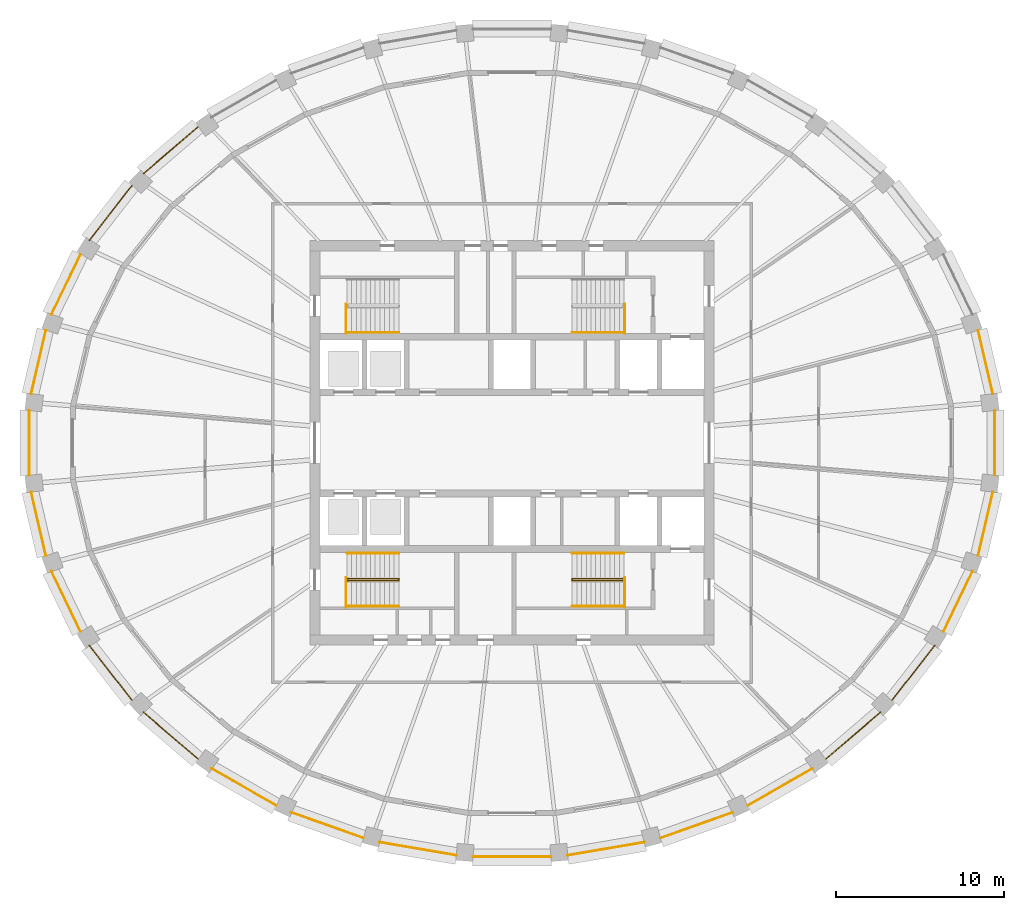
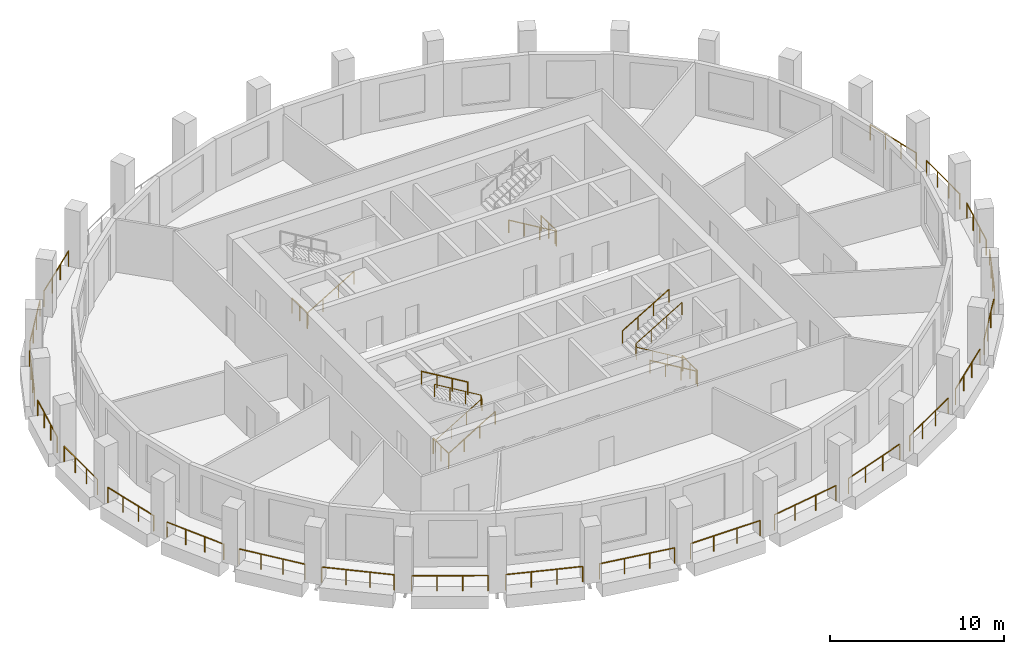
# One storey, part 8 of 10: 34 railings.
"""IFC4 building model written with IfcOpenShell, lengths in metres."""

from ifc_helpers import new_model, si_unit, direction, frame, origin, origin_2d, place, context, subcontext, project, spatial, circle, extrude, material, type_object, element, save


model = new_model("IFC4")

# Units and contexts
model_context = context("Model", 3, precision=1e-05, world=origin(), true_north=direction((0.0, 1.0)))
body_context = subcontext(model_context, "Body", "Model", "MODEL_VIEW")
ifc_project = project(units=[si_unit("LENGTHUNIT", "METRE"), si_unit("AREAUNIT", "SQUARE_METRE"), si_unit("VOLUMEUNIT", "CUBIC_METRE"), si_unit("PLANEANGLEUNIT", "RADIAN"), si_unit("MASSUNIT", "GRAM", prefix="KILO")], contexts=[model_context])

# Site, building, storey
site_placement = place(None, origin())
site = spatial("IfcSite", under=ifc_project, at=site_placement, CompositionType="ELEMENT")
building_placement = place(site_placement, origin())
building = spatial("IfcBuilding", under=site, at=building_placement, Name="Halqa Exchange Tower", CompositionType="ELEMENT")
storey_placement = place(building_placement, frame((0.0, 0.0, 312.300048828125)))
storey = spatial("IfcBuildingStorey", under=building, at=storey_placement, Name="L73", CompositionType="ELEMENT", Elevation=312.300048828125)

# Railings
ifc_material = material(Name="Stainless steel", Category="steel")
railing_type_1 = type_object("IfcRailingType", Name="Guard 1100 stainless steel", PredefinedType="GUARDRAIL", material=ifc_material)
railing_1_placement = place(storey_placement, frame((28.54345703125, 2.90625, 0.0)))
element("IfcRailing", 1, at=railing_1_placement, inside=storey, type_object=railing_type_1, Name="Loggia guard 1", PredefinedType="GUARDRAIL", context=body_context, shape_type="SweptSolid", body=[
    extrude(circle(Radius=0.02392578125, at=origin_2d()), frame((0.0, 0.0, 1.076171875), z_axis=(-0.226075212615, 0.974109849166, 0.0), x_axis=(-0.974109849166, -0.226075212615, 0.0)), (0.0, 0.0, 1.0), 3.87158203125),
    extrude(circle(Radius=0.02099609375, at=origin_2d()), origin(), (0.0, 0.0, 1.0), 1.052001953125),
    extrude(circle(Radius=0.02099609375, at=origin_2d()), frame((-0.291748046875, 1.257080078125, 0.0)), (0.0, 0.0, 1.0), 1.052001953125),
    extrude(circle(Radius=0.02099609375, at=origin_2d()), frame((-0.58349609375, 2.51416015625, 0.0)), (0.0, 0.0, 1.0), 1.052001953125),
    extrude(circle(Radius=0.02099609375, at=origin_2d()), frame((-0.875244140625, 3.771240234375, 0.0)), (0.0, 0.0, 1.0), 1.052001953125),
])
railing_2_placement = place(storey_placement, frame((-18.64697265625, 18.753662109375, 0.0)))
element("IfcRailing", 2, at=railing_2_placement, inside=storey, type_object=railing_type_1, Name="Loggia guard 12", PredefinedType="GUARDRAIL", context=body_context, shape_type="SweptSolid", body=[
    extrude(circle(Radius=0.02392578125, at=origin_2d()), frame((0.0, 0.0, 1.076171875), z_axis=(-0.759248505923, -0.650800819187, 0.0), x_axis=(0.650800819187, -0.759248505923, 0.0)), (0.0, 0.0, 1.0), 4.257080078125),
    extrude(circle(Radius=0.02099609375, at=origin_2d()), origin(), (0.0, 0.0, 1.0), 1.052001953125),
    extrude(circle(Radius=0.02099609375, at=origin_2d()), frame((-1.077392578125, -0.923583984375, 0.0)), (0.0, 0.0, 1.0), 1.052001953125),
    extrude(circle(Radius=0.02099609375, at=origin_2d()), frame((-2.15478515625, -1.846923828125, 0.0)), (0.0, 0.0, 1.0), 1.052001953125),
    extrude(circle(Radius=0.02099609375, at=origin_2d()), frame((-3.232177734375, -2.7705078125, 0.0)), (0.0, 0.0, 1.0), 1.052001953125),
])
railing_3_placement = place(storey_placement, frame((-22.56640625, 15.263427734375, 0.0)))
element("IfcRailing", 3, at=railing_3_placement, inside=storey, type_object=railing_type_1, Name="Loggia guard 13", PredefinedType="GUARDRAIL", context=body_context, shape_type="SweptSolid", body=[
    extrude(circle(Radius=0.02392578125, at=origin_2d()), frame((0.0, 0.0, 1.076171875), z_axis=(-0.61479340321, -0.788688196545, 0.0), x_axis=(0.788688196545, -0.61479340321, 0.0)), (0.0, 0.0, 1.0), 4.10107421875),
    extrude(circle(Radius=0.02099609375, at=origin_2d()), origin(), (0.0, 0.0, 1.0), 1.052001953125),
    extrude(circle(Radius=0.02099609375, at=origin_2d()), frame((-0.84033203125, -1.078125, 0.0)), (0.0, 0.0, 1.0), 1.052001953125),
    extrude(circle(Radius=0.02099609375, at=origin_2d()), frame((-1.680908203125, -2.15625, 0.0)), (0.0, 0.0, 1.0), 1.052001953125),
    extrude(circle(Radius=0.02099609375, at=origin_2d()), frame((-2.521240234375, -3.234375, 0.0)), (0.0, 0.0, 1.0), 1.052001953125),
])
railing_4_placement = place(storey_placement, frame((-25.612548828125, 11.1845703125, 0.0)))
element("IfcRailing", 4, at=railing_4_placement, inside=storey, type_object=railing_type_1, Name="Loggia guard 14", PredefinedType="GUARDRAIL", context=body_context, shape_type="SweptSolid", body=[
    extrude(circle(Radius=0.02392578125, at=origin_2d()), frame((0.0, 0.0, 1.076171875), z_axis=(-0.435127892991, -0.900368656019, 0.0), x_axis=(0.900368656019, -0.435127892991, 0.0)), (0.0, 0.0, 1.0), 3.964599609375),
    extrude(circle(Radius=0.02099609375, at=origin_2d()), origin(), (0.0, 0.0, 1.0), 1.052001953125),
    extrude(circle(Radius=0.02099609375, at=origin_2d()), frame((-0.574951171875, -1.18994140625, 0.0)), (0.0, 0.0, 1.0), 1.052001953125),
    extrude(circle(Radius=0.02099609375, at=origin_2d()), frame((-1.150146484375, -2.379638671875, 0.0)), (0.0, 0.0, 1.0), 1.052001953125),
    extrude(circle(Radius=0.02099609375, at=origin_2d()), frame((-1.72509765625, -3.569580078125, 0.0)), (0.0, 0.0, 1.0), 1.052001953125),
])
railing_5_placement = place(storey_placement, frame((-27.668212890625, 6.677490234375, 0.0)))
element("IfcRailing", 5, at=railing_5_placement, inside=storey, type_object=railing_type_1, Name="Loggia guard 15", PredefinedType="GUARDRAIL", context=body_context, shape_type="SweptSolid", body=[
    extrude(circle(Radius=0.02392578125, at=origin_2d()), frame((0.0, 0.0, 1.076171875), z_axis=(-0.226075212615, -0.974109849166, 0.0), x_axis=(0.974109849166, -0.226075212615, 0.0)), (0.0, 0.0, 1.0), 3.87158203125),
    extrude(circle(Radius=0.02099609375, at=origin_2d()), origin(), (0.0, 0.0, 1.0), 1.052001953125),
    extrude(circle(Radius=0.02099609375, at=origin_2d()), frame((-0.291748046875, -1.257080078125, 0.0)), (0.0, 0.0, 1.0), 1.052001953125),
    extrude(circle(Radius=0.02099609375, at=origin_2d()), frame((-0.58349609375, -2.51416015625, 0.0)), (0.0, 0.0, 1.0), 1.052001953125),
    extrude(circle(Radius=0.02099609375, at=origin_2d()), frame((-0.875244140625, -3.771240234375, 0.0)), (0.0, 0.0, 1.0), 1.052001953125),
])
railing_6_placement = place(storey_placement, frame((-28.656494140625, 1.919189453125, 0.0)))
element("IfcRailing", 6, at=railing_6_placement, inside=storey, type_object=railing_type_1, Name="Loggia guard 16", PredefinedType="GUARDRAIL", context=body_context, shape_type="SweptSolid", body=[
    extrude(circle(Radius=0.02392578125, at=origin_2d()), frame((0.0, 0.0, 1.076171875), z_axis=(0.0, -1.0, 0.0), x_axis=(1.0, 0.0, 0.0)), (0.0, 0.0, 1.0), 3.83837890625),
    extrude(circle(Radius=0.02099609375, at=origin_2d()), origin(), (0.0, 0.0, 1.0), 1.052001953125),
    extrude(circle(Radius=0.02099609375, at=origin_2d()), frame((0.0, -1.279541015625, 0.0)), (0.0, 0.0, 1.0), 1.052001953125),
    extrude(circle(Radius=0.02099609375, at=origin_2d()), frame((0.0, -2.558837890625, 0.0)), (0.0, 0.0, 1.0), 1.052001953125),
    extrude(circle(Radius=0.02099609375, at=origin_2d()), frame((0.0, -3.83837890625, 0.0)), (0.0, 0.0, 1.0), 1.052001953125),
])
railing_7_placement = place(storey_placement, frame((-28.54345703125, -2.90625, 0.0)))
element("IfcRailing", 7, at=railing_7_placement, inside=storey, type_object=railing_type_1, Name="Loggia guard 17", PredefinedType="GUARDRAIL", context=body_context, shape_type="SweptSolid", body=[
    extrude(circle(Radius=0.02392578125, at=origin_2d()), frame((0.0, 0.0, 1.076171875), z_axis=(0.226075212615, -0.974109849166, 0.0), x_axis=(0.974109849166, 0.226075212615, 0.0)), (0.0, 0.0, 1.0), 3.87158203125),
    extrude(circle(Radius=0.02099609375, at=origin_2d()), origin(), (0.0, 0.0, 1.0), 1.052001953125),
    extrude(circle(Radius=0.02099609375, at=origin_2d()), frame((0.291748046875, -1.257080078125, 0.0)), (0.0, 0.0, 1.0), 1.052001953125),
    extrude(circle(Radius=0.02099609375, at=origin_2d()), frame((0.58349609375, -2.51416015625, 0.0)), (0.0, 0.0, 1.0), 1.052001953125),
    extrude(circle(Radius=0.02099609375, at=origin_2d()), frame((0.875244140625, -3.771240234375, 0.0)), (0.0, 0.0, 1.0), 1.052001953125),
])
railing_8_placement = place(storey_placement, frame((-27.337646484375, -7.614990234375, 0.0)))
element("IfcRailing", 8, at=railing_8_placement, inside=storey, type_object=railing_type_1, Name="Loggia guard 18", PredefinedType="GUARDRAIL", context=body_context, shape_type="SweptSolid", body=[
    extrude(circle(Radius=0.02392578125, at=origin_2d()), frame((0.0, 0.0, 1.076171875), z_axis=(0.435127892991, -0.900368656019, 0.0), x_axis=(0.900368656019, 0.435127892991, 0.0)), (0.0, 0.0, 1.0), 3.964599609375),
    extrude(circle(Radius=0.02099609375, at=origin_2d()), origin(), (0.0, 0.0, 1.0), 1.052001953125),
    extrude(circle(Radius=0.02099609375, at=origin_2d()), frame((0.574951171875, -1.18994140625, 0.0)), (0.0, 0.0, 1.0), 1.052001953125),
    extrude(circle(Radius=0.02099609375, at=origin_2d()), frame((1.150146484375, -2.379638671875, 0.0)), (0.0, 0.0, 1.0), 1.052001953125),
    extrude(circle(Radius=0.02099609375, at=origin_2d()), frame((1.72509765625, -3.569580078125, 0.0)), (0.0, 0.0, 1.0), 1.052001953125),
])
railing_9_placement = place(storey_placement, frame((-25.087646484375, -12.029052734375, 0.0)))
element("IfcRailing", 9, at=railing_9_placement, inside=storey, type_object=railing_type_1, Name="Loggia guard 19", PredefinedType="GUARDRAIL", context=body_context, shape_type="SweptSolid", body=[
    extrude(circle(Radius=0.02392578125, at=origin_2d()), frame((0.0, 0.0, 1.076171875), z_axis=(0.61479340321, -0.788688196545, 0.0), x_axis=(0.788688196545, 0.61479340321, 0.0)), (0.0, 0.0, 1.0), 4.10107421875),
    extrude(circle(Radius=0.02099609375, at=origin_2d()), origin(), (0.0, 0.0, 1.0), 1.052001953125),
    extrude(circle(Radius=0.02099609375, at=origin_2d()), frame((0.84033203125, -1.078125, 0.0)), (0.0, 0.0, 1.0), 1.052001953125),
    extrude(circle(Radius=0.02099609375, at=origin_2d()), frame((1.680908203125, -2.15625, 0.0)), (0.0, 0.0, 1.0), 1.052001953125),
    extrude(circle(Radius=0.02099609375, at=origin_2d()), frame((2.521240234375, -3.234375, 0.0)), (0.0, 0.0, 1.0), 1.052001953125),
])
railing_10_placement = place(storey_placement, frame((-21.879150390625, -15.983154296875, 0.0)))
element("IfcRailing", 10, at=railing_10_placement, inside=storey, type_object=railing_type_1, Name="Loggia guard 20", PredefinedType="GUARDRAIL", context=body_context, shape_type="SweptSolid", body=[
    extrude(circle(Radius=0.02392578125, at=origin_2d()), frame((0.0, 0.0, 1.076171875), z_axis=(0.759248505923, -0.650800819187, 0.0), x_axis=(0.650800819187, 0.759248505923, 0.0)), (0.0, 0.0, 1.0), 4.257080078125),
    extrude(circle(Radius=0.02099609375, at=origin_2d()), origin(), (0.0, 0.0, 1.0), 1.052001953125),
    extrude(circle(Radius=0.02099609375, at=origin_2d()), frame((1.077392578125, -0.923583984375, 0.0)), (0.0, 0.0, 1.0), 1.052001953125),
    extrude(circle(Radius=0.02099609375, at=origin_2d()), frame((2.15478515625, -1.846923828125, 0.0)), (0.0, 0.0, 1.0), 1.052001953125),
    extrude(circle(Radius=0.02099609375, at=origin_2d()), frame((3.232177734375, -2.7705078125, 0.0)), (0.0, 0.0, 1.0), 1.052001953125),
])
railing_11_placement = place(storey_placement, frame((-17.83349609375, -19.327392578125, 0.0)))
element("IfcRailing", 11, at=railing_11_placement, inside=storey, type_object=railing_type_1, Name="Loggia guard 21", PredefinedType="GUARDRAIL", context=body_context, shape_type="SweptSolid", body=[
    extrude(circle(Radius=0.02392578125, at=origin_2d()), frame((0.0, 0.0, 1.076171875), z_axis=(0.867748583413, -0.497003416473, 0.0), x_axis=(0.497003416473, 0.867748583413, 0.0)), (0.0, 0.0, 1.0), 4.40869140625),
    extrude(circle(Radius=0.02099609375, at=origin_2d()), origin(), (0.0, 0.0, 1.0), 1.052001953125),
    extrude(circle(Radius=0.02099609375, at=origin_2d()), frame((1.275146484375, -0.73046875, 0.0)), (0.0, 0.0, 1.0), 1.052001953125),
    extrude(circle(Radius=0.02099609375, at=origin_2d()), frame((2.550537109375, -1.460693359375, 0.0)), (0.0, 0.0, 1.0), 1.052001953125),
    extrude(circle(Radius=0.02099609375, at=origin_2d()), frame((3.82568359375, -2.191162109375, 0.0)), (0.0, 0.0, 1.0), 1.052001953125),
])
railing_12_placement = place(storey_placement, frame((-13.102783203125, -21.934326171875, 0.0)))
element("IfcRailing", 12, at=railing_12_placement, inside=storey, type_object=railing_type_1, Name="Loggia guard 22", PredefinedType="GUARDRAIL", context=body_context, shape_type="SweptSolid", body=[
    extrude(circle(Radius=0.02392578125, at=origin_2d()), frame((0.0, 0.0, 1.076171875), z_axis=(0.942366421866, -0.334582616014, 0.0), x_axis=(0.334582616014, 0.942366421866, 0.0)), (0.0, 0.0, 1.0), 4.5341796875),
    extrude(circle(Radius=0.02099609375, at=origin_2d()), origin(), (0.0, 0.0, 1.0), 1.052001953125),
    extrude(circle(Radius=0.02099609375, at=origin_2d()), frame((1.42431640625, -0.505615234375, 0.0)), (0.0, 0.0, 1.0), 1.052001953125),
    extrude(circle(Radius=0.02099609375, at=origin_2d()), frame((2.8486328125, -1.011474609375, 0.0)), (0.0, 0.0, 1.0), 1.052001953125),
    extrude(circle(Radius=0.02099609375, at=origin_2d()), frame((4.27294921875, -1.51708984375, 0.0)), (0.0, 0.0, 1.0), 1.052001953125),
])
railing_13_placement = place(storey_placement, frame((-7.865966796875, -23.702880859375, 0.0)))
element("IfcRailing", 13, at=railing_13_placement, inside=storey, type_object=railing_type_1, Name="Loggia guard 23", PredefinedType="GUARDRAIL", context=body_context, shape_type="SweptSolid", body=[
    extrude(circle(Radius=0.02392578125, at=origin_2d()), frame((0.0, 0.0, 1.076171875), z_axis=(0.985784105036, -0.168016958246, 0.0), x_axis=(0.168016958246, 0.985784105036, 0.0)), (0.0, 0.0, 1.0), 4.616455078125),
    extrude(circle(Radius=0.02099609375, at=origin_2d()), origin(), (0.0, 0.0, 1.0), 1.052001953125),
    extrude(circle(Radius=0.02099609375, at=origin_2d()), frame((1.516845703125, -0.258544921875, 0.0)), (0.0, 0.0, 1.0), 1.052001953125),
    extrude(circle(Radius=0.02099609375, at=origin_2d()), frame((3.033935546875, -0.51708984375, 0.0)), (0.0, 0.0, 1.0), 1.052001953125),
    extrude(circle(Radius=0.02099609375, at=origin_2d()), frame((4.55078125, -0.775634765625, 0.0)), (0.0, 0.0, 1.0), 1.052001953125),
])
railing_14_placement = place(storey_placement, frame((-2.322509765625, -24.562744140625, 0.0)))
element("IfcRailing", 14, at=railing_14_placement, inside=storey, type_object=railing_type_1, Name="Loggia guard 24", PredefinedType="GUARDRAIL", context=body_context, shape_type="SweptSolid", body=[
    extrude(circle(Radius=0.02392578125, at=origin_2d()), frame((0.0, 0.0, 1.076171875), z_axis=(1.0, 0.0, 0.0), x_axis=(0.0, 1.0, 0.0)), (0.0, 0.0, 1.0), 4.64501953125),
    extrude(circle(Radius=0.02099609375, at=origin_2d()), origin(), (0.0, 0.0, 1.0), 1.052001953125),
    extrude(circle(Radius=0.02099609375, at=origin_2d()), frame((1.54833984375, 0.0, 0.0)), (0.0, 0.0, 1.0), 1.052001953125),
    extrude(circle(Radius=0.02099609375, at=origin_2d()), frame((3.0966796875, 0.0, 0.0)), (0.0, 0.0, 1.0), 1.052001953125),
    extrude(circle(Radius=0.02099609375, at=origin_2d()), frame((4.64501953125, 0.0, 0.0)), (0.0, 0.0, 1.0), 1.052001953125),
])
railing_15_placement = place(storey_placement, frame((3.315185546875, -24.478515625, 0.0)))
element("IfcRailing", 15, at=railing_15_placement, inside=storey, type_object=railing_type_1, Name="Loggia guard 25", PredefinedType="GUARDRAIL", context=body_context, shape_type="SweptSolid", body=[
    extrude(circle(Radius=0.02392578125, at=origin_2d()), frame((0.0, 0.0, 1.076171875), z_axis=(0.985784105036, 0.168016958246, 0.0), x_axis=(-0.168016958246, 0.985784105036, 0.0)), (0.0, 0.0, 1.0), 4.616455078125),
    extrude(circle(Radius=0.02099609375, at=origin_2d()), origin(), (0.0, 0.0, 1.0), 1.052001953125),
    extrude(circle(Radius=0.02099609375, at=origin_2d()), frame((1.516845703125, 0.258544921875, 0.0)), (0.0, 0.0, 1.0), 1.052001953125),
    extrude(circle(Radius=0.02099609375, at=origin_2d()), frame((3.033935546875, 0.51708984375, 0.0)), (0.0, 0.0, 1.0), 1.052001953125),
    extrude(circle(Radius=0.02099609375, at=origin_2d()), frame((4.55078125, 0.775634765625, 0.0)), (0.0, 0.0, 1.0), 1.052001953125),
])
railing_16_placement = place(storey_placement, frame((8.829833984375, -23.451416015625, 0.0)))
element("IfcRailing", 16, at=railing_16_placement, inside=storey, type_object=railing_type_1, Name="Loggia guard 26", PredefinedType="GUARDRAIL", context=body_context, shape_type="SweptSolid", body=[
    extrude(circle(Radius=0.02392578125, at=origin_2d()), frame((0.0, 0.0, 1.076171875), z_axis=(0.942366421866, 0.334582616014, 0.0), x_axis=(-0.334582616014, 0.942366421866, 0.0)), (0.0, 0.0, 1.0), 4.5341796875),
    extrude(circle(Radius=0.02099609375, at=origin_2d()), origin(), (0.0, 0.0, 1.0), 1.052001953125),
    extrude(circle(Radius=0.02099609375, at=origin_2d()), frame((1.42431640625, 0.505615234375, 0.0)), (0.0, 0.0, 1.0), 1.052001953125),
    extrude(circle(Radius=0.02099609375, at=origin_2d()), frame((2.8486328125, 1.011474609375, 0.0)), (0.0, 0.0, 1.0), 1.052001953125),
    extrude(circle(Radius=0.02099609375, at=origin_2d()), frame((4.27294921875, 1.51708984375, 0.0)), (0.0, 0.0, 1.0), 1.052001953125),
])
railing_17_placement = place(storey_placement, frame((14.0078125, -21.5185546875, 0.0)))
element("IfcRailing", 17, at=railing_17_placement, inside=storey, type_object=railing_type_1, Name="Loggia guard 27", PredefinedType="GUARDRAIL", context=body_context, shape_type="SweptSolid", body=[
    extrude(circle(Radius=0.02392578125, at=origin_2d()), frame((0.0, 0.0, 1.076171875), z_axis=(0.867748583413, 0.497003416473, 0.0), x_axis=(-0.497003416473, 0.867748583413, 0.0)), (0.0, 0.0, 1.0), 4.40869140625),
    extrude(circle(Radius=0.02099609375, at=origin_2d()), origin(), (0.0, 0.0, 1.0), 1.052001953125),
    extrude(circle(Radius=0.02099609375, at=origin_2d()), frame((1.275146484375, 0.73046875, 0.0)), (0.0, 0.0, 1.0), 1.052001953125),
    extrude(circle(Radius=0.02099609375, at=origin_2d()), frame((2.550537109375, 1.460693359375, 0.0)), (0.0, 0.0, 1.0), 1.052001953125),
    extrude(circle(Radius=0.02099609375, at=origin_2d()), frame((3.82568359375, 2.191162109375, 0.0)), (0.0, 0.0, 1.0), 1.052001953125),
])
railing_18_placement = place(storey_placement, frame((18.64697265625, -18.753662109375, 0.0)))
element("IfcRailing", 18, at=railing_18_placement, inside=storey, type_object=railing_type_1, Name="Loggia guard 28", PredefinedType="GUARDRAIL", context=body_context, shape_type="SweptSolid", body=[
    extrude(circle(Radius=0.02392578125, at=origin_2d()), frame((0.0, 0.0, 1.076171875), z_axis=(0.759248505923, 0.650800819187, 0.0), x_axis=(-0.650800819187, 0.759248505923, 0.0)), (0.0, 0.0, 1.0), 4.257080078125),
    extrude(circle(Radius=0.02099609375, at=origin_2d()), origin(), (0.0, 0.0, 1.0), 1.052001953125),
    extrude(circle(Radius=0.02099609375, at=origin_2d()), frame((1.077392578125, 0.923583984375, 0.0)), (0.0, 0.0, 1.0), 1.052001953125),
    extrude(circle(Radius=0.02099609375, at=origin_2d()), frame((2.15478515625, 1.846923828125, 0.0)), (0.0, 0.0, 1.0), 1.052001953125),
    extrude(circle(Radius=0.02099609375, at=origin_2d()), frame((3.232177734375, 2.7705078125, 0.0)), (0.0, 0.0, 1.0), 1.052001953125),
])
railing_19_placement = place(storey_placement, frame((22.56640625, -15.263427734375, 0.0)))
element("IfcRailing", 19, at=railing_19_placement, inside=storey, type_object=railing_type_1, Name="Loggia guard 29", PredefinedType="GUARDRAIL", context=body_context, shape_type="SweptSolid", body=[
    extrude(circle(Radius=0.02392578125, at=origin_2d()), frame((0.0, 0.0, 1.076171875), z_axis=(0.61479340321, 0.788688196545, 0.0), x_axis=(-0.788688196545, 0.61479340321, 0.0)), (0.0, 0.0, 1.0), 4.10107421875),
    extrude(circle(Radius=0.02099609375, at=origin_2d()), origin(), (0.0, 0.0, 1.0), 1.052001953125),
    extrude(circle(Radius=0.02099609375, at=origin_2d()), frame((0.84033203125, 1.078125, 0.0)), (0.0, 0.0, 1.0), 1.052001953125),
    extrude(circle(Radius=0.02099609375, at=origin_2d()), frame((1.680908203125, 2.15625, 0.0)), (0.0, 0.0, 1.0), 1.052001953125),
    extrude(circle(Radius=0.02099609375, at=origin_2d()), frame((2.521240234375, 3.234375, 0.0)), (0.0, 0.0, 1.0), 1.052001953125),
])
railing_20_placement = place(storey_placement, frame((25.612548828125, -11.1845703125, 0.0)))
element("IfcRailing", 20, at=railing_20_placement, inside=storey, type_object=railing_type_1, Name="Loggia guard 30", PredefinedType="GUARDRAIL", context=body_context, shape_type="SweptSolid", body=[
    extrude(circle(Radius=0.02392578125, at=origin_2d()), frame((0.0, 0.0, 1.076171875), z_axis=(0.435127892991, 0.900368656019, 0.0), x_axis=(-0.900368656019, 0.435127892991, 0.0)), (0.0, 0.0, 1.0), 3.964599609375),
    extrude(circle(Radius=0.02099609375, at=origin_2d()), origin(), (0.0, 0.0, 1.0), 1.052001953125),
    extrude(circle(Radius=0.02099609375, at=origin_2d()), frame((0.574951171875, 1.18994140625, 0.0)), (0.0, 0.0, 1.0), 1.052001953125),
    extrude(circle(Radius=0.02099609375, at=origin_2d()), frame((1.150146484375, 2.379638671875, 0.0)), (0.0, 0.0, 1.0), 1.052001953125),
    extrude(circle(Radius=0.02099609375, at=origin_2d()), frame((1.72509765625, 3.569580078125, 0.0)), (0.0, 0.0, 1.0), 1.052001953125),
])
railing_21_placement = place(storey_placement, frame((27.668212890625, -6.677490234375, 0.0)))
element("IfcRailing", 21, at=railing_21_placement, inside=storey, type_object=railing_type_1, Name="Loggia guard 31", PredefinedType="GUARDRAIL", context=body_context, shape_type="SweptSolid", body=[
    extrude(circle(Radius=0.02392578125, at=origin_2d()), frame((0.0, 0.0, 1.076171875), z_axis=(0.226075212615, 0.974109849166, 0.0), x_axis=(-0.974109849166, 0.226075212615, 0.0)), (0.0, 0.0, 1.0), 3.87158203125),
    extrude(circle(Radius=0.02099609375, at=origin_2d()), origin(), (0.0, 0.0, 1.0), 1.052001953125),
    extrude(circle(Radius=0.02099609375, at=origin_2d()), frame((0.291748046875, 1.257080078125, 0.0)), (0.0, 0.0, 1.0), 1.052001953125),
    extrude(circle(Radius=0.02099609375, at=origin_2d()), frame((0.58349609375, 2.51416015625, 0.0)), (0.0, 0.0, 1.0), 1.052001953125),
    extrude(circle(Radius=0.02099609375, at=origin_2d()), frame((0.875244140625, 3.771240234375, 0.0)), (0.0, 0.0, 1.0), 1.052001953125),
])
railing_22_placement = place(storey_placement, frame((28.656494140625, -1.919189453125, 0.0)))
element("IfcRailing", 22, at=railing_22_placement, inside=storey, type_object=railing_type_1, Name="Loggia guard 32", PredefinedType="GUARDRAIL", context=body_context, shape_type="SweptSolid", body=[
    extrude(circle(Radius=0.02392578125, at=origin_2d()), frame((0.0, 0.0, 1.076171875), z_axis=(0.0, 1.0, 0.0), x_axis=(-1.0, 0.0, 0.0)), (0.0, 0.0, 1.0), 3.83837890625),
    extrude(circle(Radius=0.02099609375, at=origin_2d()), origin(), (0.0, 0.0, 1.0), 1.052001953125),
    extrude(circle(Radius=0.02099609375, at=origin_2d()), frame((0.0, 1.279541015625, 0.0)), (0.0, 0.0, 1.0), 1.052001953125),
    extrude(circle(Radius=0.02099609375, at=origin_2d()), frame((0.0, 2.558837890625, 0.0)), (0.0, 0.0, 1.0), 1.052001953125),
    extrude(circle(Radius=0.02099609375, at=origin_2d()), frame((0.0, 3.83837890625, 0.0)), (0.0, 0.0, 1.0), 1.052001953125),
])
railing_type_2 = type_object("IfcRailingType", Name="Stair handrail 900", PredefinedType="HANDRAIL", material=ifc_material)
railing_23_placement = place(storey_placement, frame((-9.800048828125, 6.550048828125, 0.166748046875)))
element("IfcRailing", 23, at=railing_23_placement, inside=storey, type_object=railing_type_2, Name="Handrail ST1.2", PredefinedType="HANDRAIL", context=body_context, shape_type="SweptSolid", body=[
    extrude(circle(Radius=0.02392578125, at=origin_2d()), frame((0.0, 0.0, 0.8759765625), z_axis=(0.859308565015, 0.0, 0.511457515432), x_axis=(0.0, 1.0, 0.0)), (0.0, 0.0, 1.0), 3.58447265625),
    extrude(circle(Radius=0.02099609375, at=origin_2d()), origin(), (0.0, 0.0, 1.0), 0.851806640625),
    extrude(circle(Radius=0.02099609375, at=origin_2d()), frame((1.026611328125, 0.0, 0.611083984375)), (0.0, 0.0, 1.0), 0.851806640625),
    extrude(circle(Radius=0.02099609375, at=origin_2d()), frame((2.053466796875, 0.0, 1.22216796875)), (0.0, 0.0, 1.0), 0.851806640625),
    extrude(circle(Radius=0.02099609375, at=origin_2d()), frame((3.080078125, 0.0, 1.833251953125)), (0.0, 0.0, 1.0), 0.851806640625),
])
railing_24_placement = place(storey_placement, frame((6.64990234375, 6.550048828125, 0.166748046875)))
element("IfcRailing", 24, at=railing_24_placement, inside=storey, type_object=railing_type_2, Name="Handrail ST2.2", PredefinedType="HANDRAIL", context=body_context, shape_type="SweptSolid", body=[
    extrude(circle(Radius=0.02392578125, at=origin_2d()), frame((0.0, 0.0, 0.8759765625), z_axis=(-0.859290745958, 0.0, 0.51148745235), x_axis=(0.0, -1.0, 0.0)), (0.0, 0.0, 1.0), 3.584228515625),
    extrude(circle(Radius=0.02099609375, at=origin_2d()), origin(), (0.0, 0.0, 1.0), 0.851806640625),
    extrude(circle(Radius=0.02099609375, at=origin_2d()), frame((-1.026611328125, 0.0, 0.611083984375)), (0.0, 0.0, 1.0), 0.851806640625),
    extrude(circle(Radius=0.02099609375, at=origin_2d()), frame((-2.05322265625, 0.0, 1.22216796875)), (0.0, 0.0, 1.0), 0.851806640625),
    extrude(circle(Radius=0.02099609375, at=origin_2d()), frame((-3.079833984375, 0.0, 1.833251953125)), (0.0, 0.0, 1.0), 0.851806640625),
])
railing_25_placement = place(storey_placement, frame((-9.800048828125, -8.18994140625, 0.166748046875)))
element("IfcRailing", 25, at=railing_25_placement, inside=storey, type_object=railing_type_2, Name="Handrail ST3.1", PredefinedType="HANDRAIL", context=body_context, shape_type="SweptSolid", body=[
    extrude(circle(Radius=0.02392578125, at=origin_2d()), frame((0.0, 0.0, 0.8759765625), z_axis=(0.859308565015, 0.0, 0.511457515432), x_axis=(0.0, 1.0, 0.0)), (0.0, 0.0, 1.0), 3.58447265625),
    extrude(circle(Radius=0.02392578125, at=origin_2d()), frame((3.080078125, 0.0, 2.708984375), z_axis=(0.0, 0.614500226555, 0.788916644243), x_axis=(-1.0, 0.0, 0.0)), (0.0, 0.0, 1.0), 0.21142578125),
    extrude(circle(Radius=0.02392578125, at=origin_2d()), frame((3.080078125, 0.1298828125, 2.8759765625), z_axis=(-0.859308565015, 0.0, 0.511457515432), x_axis=(0.0, -1.0, 0.0)), (0.0, 0.0, 1.0), 3.58447265625),
    extrude(circle(Radius=0.02099609375, at=origin_2d()), origin(), (0.0, 0.0, 1.0), 0.851806640625),
    extrude(circle(Radius=0.02099609375, at=origin_2d()), frame((1.026611328125, 0.0, 0.611083984375)), (0.0, 0.0, 1.0), 0.851806640625),
    extrude(circle(Radius=0.02099609375, at=origin_2d()), frame((2.053466796875, 0.0, 1.22216796875)), (0.0, 0.0, 1.0), 0.851806640625),
    extrude(circle(Radius=0.02099609375, at=origin_2d()), frame((3.080078125, 0.0, 1.833251953125)), (0.0, 0.0, 1.0), 0.851806640625),
    extrude(circle(Radius=0.02099609375, at=origin_2d()), frame((3.080078125, 0.1298828125, 2.0)), (0.0, 0.0, 1.0), 0.851806640625),
    extrude(circle(Radius=0.02099609375, at=origin_2d()), frame((2.053466796875, 0.1298828125, 2.611083984375)), (0.0, 0.0, 1.0), 0.851806640625),
    extrude(circle(Radius=0.02099609375, at=origin_2d()), frame((1.026611328125, 0.1298828125, 3.22216796875)), (0.0, 0.0, 1.0), 0.851806640625),
    extrude(circle(Radius=0.02099609375, at=origin_2d()), frame((0.0, 0.1298828125, 3.833251953125)), (0.0, 0.0, 1.0), 0.851806640625),
])
railing_26_placement = place(storey_placement, frame((-9.800048828125, -9.699951171875, 0.166748046875)))
element("IfcRailing", 26, at=railing_26_placement, inside=storey, type_object=railing_type_2, Name="Handrail ST3.2", PredefinedType="HANDRAIL", context=body_context, shape_type="SweptSolid", body=[
    extrude(circle(Radius=0.02392578125, at=origin_2d()), frame((0.0, 0.0, 0.8759765625), z_axis=(0.859308565015, 0.0, 0.511457515432), x_axis=(0.0, 1.0, 0.0)), (0.0, 0.0, 1.0), 3.58447265625),
    extrude(circle(Radius=0.02099609375, at=origin_2d()), origin(), (0.0, 0.0, 1.0), 0.851806640625),
    extrude(circle(Radius=0.02099609375, at=origin_2d()), frame((1.026611328125, 0.0, 0.611083984375)), (0.0, 0.0, 1.0), 0.851806640625),
    extrude(circle(Radius=0.02099609375, at=origin_2d()), frame((2.053466796875, 0.0, 1.22216796875)), (0.0, 0.0, 1.0), 0.851806640625),
    extrude(circle(Radius=0.02099609375, at=origin_2d()), frame((3.080078125, 0.0, 1.833251953125)), (0.0, 0.0, 1.0), 0.851806640625),
])
railing_27_placement = place(storey_placement, frame((-6.719970703125, -6.550048828125, 2.166748046875)))
element("IfcRailing", 27, at=railing_27_placement, inside=storey, type_object=railing_type_2, Name="Handrail ST3.3", PredefinedType="HANDRAIL", context=body_context, shape_type="SweptSolid", body=[
    extrude(circle(Radius=0.02392578125, at=origin_2d()), frame((0.0, 0.0, 0.8759765625), z_axis=(-0.859308565015, 0.0, 0.511457515432), x_axis=(0.0, -1.0, 0.0)), (0.0, 0.0, 1.0), 3.58447265625),
    extrude(circle(Radius=0.02099609375, at=origin_2d()), origin(), (0.0, 0.0, 1.0), 0.851806640625),
    extrude(circle(Radius=0.02099609375, at=origin_2d()), frame((-1.026611328125, 0.0, 0.611083984375)), (0.0, 0.0, 1.0), 0.851806640625),
    extrude(circle(Radius=0.02099609375, at=origin_2d()), frame((-2.053466796875, 0.0, 1.22216796875)), (0.0, 0.0, 1.0), 0.851806640625),
    extrude(circle(Radius=0.02099609375, at=origin_2d()), frame((-3.080078125, 0.0, 1.833251953125)), (0.0, 0.0, 1.0), 0.851806640625),
])
railing_28_placement = place(storey_placement, frame((6.64990234375, -8.18994140625, 0.166748046875)))
element("IfcRailing", 28, at=railing_28_placement, inside=storey, type_object=railing_type_2, Name="Handrail ST4.1", PredefinedType="HANDRAIL", context=body_context, shape_type="SweptSolid", body=[
    extrude(circle(Radius=0.02392578125, at=origin_2d()), frame((0.0, 0.0, 0.8759765625), z_axis=(-0.859290745958, 0.0, 0.51148745235), x_axis=(0.0, -1.0, 0.0)), (0.0, 0.0, 1.0), 3.584228515625),
    extrude(circle(Radius=0.02392578125, at=origin_2d()), frame((-3.079833984375, 0.0, 2.708984375), z_axis=(0.0, 0.614500226555, 0.788916644243), x_axis=(-1.0, 0.0, 0.0)), (0.0, 0.0, 1.0), 0.21142578125),
    extrude(circle(Radius=0.02392578125, at=origin_2d()), frame((-3.079833984375, 0.1298828125, 2.8759765625), z_axis=(0.859290745958, 0.0, 0.51148745235), x_axis=(0.0, 1.0, 0.0)), (0.0, 0.0, 1.0), 3.584228515625),
    extrude(circle(Radius=0.02099609375, at=origin_2d()), origin(), (0.0, 0.0, 1.0), 0.851806640625),
    extrude(circle(Radius=0.02099609375, at=origin_2d()), frame((-1.026611328125, 0.0, 0.611083984375)), (0.0, 0.0, 1.0), 0.851806640625),
    extrude(circle(Radius=0.02099609375, at=origin_2d()), frame((-2.05322265625, 0.0, 1.22216796875)), (0.0, 0.0, 1.0), 0.851806640625),
    extrude(circle(Radius=0.02099609375, at=origin_2d()), frame((-3.079833984375, 0.0, 1.833251953125)), (0.0, 0.0, 1.0), 0.851806640625),
    extrude(circle(Radius=0.02099609375, at=origin_2d()), frame((-3.079833984375, 0.1298828125, 2.0)), (0.0, 0.0, 1.0), 0.851806640625),
    extrude(circle(Radius=0.02099609375, at=origin_2d()), frame((-2.05322265625, 0.1298828125, 2.611083984375)), (0.0, 0.0, 1.0), 0.851806640625),
    extrude(circle(Radius=0.02099609375, at=origin_2d()), frame((-1.026611328125, 0.1298828125, 3.22216796875)), (0.0, 0.0, 1.0), 0.851806640625),
    extrude(circle(Radius=0.02099609375, at=origin_2d()), frame((0.0, 0.1298828125, 3.833251953125)), (0.0, 0.0, 1.0), 0.851806640625),
])
railing_29_placement = place(storey_placement, frame((6.64990234375, -9.699951171875, 0.166748046875)))
element("IfcRailing", 29, at=railing_29_placement, inside=storey, type_object=railing_type_2, Name="Handrail ST4.2", PredefinedType="HANDRAIL", context=body_context, shape_type="SweptSolid", body=[
    extrude(circle(Radius=0.02392578125, at=origin_2d()), frame((0.0, 0.0, 0.8759765625), z_axis=(-0.859290745958, 0.0, 0.51148745235), x_axis=(0.0, -1.0, 0.0)), (0.0, 0.0, 1.0), 3.584228515625),
    extrude(circle(Radius=0.02099609375, at=origin_2d()), origin(), (0.0, 0.0, 1.0), 0.851806640625),
    extrude(circle(Radius=0.02099609375, at=origin_2d()), frame((-1.026611328125, 0.0, 0.611083984375)), (0.0, 0.0, 1.0), 0.851806640625),
    extrude(circle(Radius=0.02099609375, at=origin_2d()), frame((-2.05322265625, 0.0, 1.22216796875)), (0.0, 0.0, 1.0), 0.851806640625),
    extrude(circle(Radius=0.02099609375, at=origin_2d()), frame((-3.079833984375, 0.0, 1.833251953125)), (0.0, 0.0, 1.0), 0.851806640625),
])
railing_30_placement = place(storey_placement, frame((3.570068359375, -6.550048828125, 2.166748046875)))
element("IfcRailing", 30, at=railing_30_placement, inside=storey, type_object=railing_type_2, Name="Handrail ST4.3", PredefinedType="HANDRAIL", context=body_context, shape_type="SweptSolid", body=[
    extrude(circle(Radius=0.02392578125, at=origin_2d()), frame((0.0, 0.0, 0.8759765625), z_axis=(0.859290745958, 0.0, 0.51148745235), x_axis=(0.0, 1.0, 0.0)), (0.0, 0.0, 1.0), 3.584228515625),
    extrude(circle(Radius=0.02099609375, at=origin_2d()), origin(), (0.0, 0.0, 1.0), 0.851806640625),
    extrude(circle(Radius=0.02099609375, at=origin_2d()), frame((1.026611328125, 0.0, 0.611083984375)), (0.0, 0.0, 1.0), 0.851806640625),
    extrude(circle(Radius=0.02099609375, at=origin_2d()), frame((2.05322265625, 0.0, 1.22216796875)), (0.0, 0.0, 1.0), 0.851806640625),
    extrude(circle(Radius=0.02099609375, at=origin_2d()), frame((3.079833984375, 0.0, 1.833251953125)), (0.0, 0.0, 1.0), 0.851806640625),
])
railing_type_3 = type_object("IfcRailingType", Name="Stair well guard 1100", PredefinedType="GUARDRAIL", material=ifc_material)
for number, where, name in (
    (31, (-9.85009765625, 6.5, 0.0), "Guard ST1 well"),
    (32, (6.699951171875, 6.5, 0.0), "Guard ST2 well"),
    (33, (-9.85009765625, -9.75, 0.0), "Guard ST3 well"),
    (34, (6.699951171875, -9.75, 0.0), "Guard ST4 well"),
):
    element("IfcRailing", number, at=place(storey_placement, frame(where)), inside=storey, type_object=railing_type_3, Name=name, PredefinedType="GUARDRAIL", context=body_context, shape_type="SweptSolid", body=[
        extrude(circle(Radius=0.02392578125, at=origin_2d()), frame((0.0, 0.0, 1.076171875), z_axis=(0.0, 1.0, 0.0), x_axis=(-1.0, 0.0, 0.0)), (0.0, 0.0, 1.0), 1.75),
        extrude(circle(Radius=0.02099609375, at=origin_2d()), origin(), (0.0, 0.0, 1.0), 1.052001953125),
        extrude(circle(Radius=0.02099609375, at=origin_2d()), frame((0.0, 0.875, 0.0)), (0.0, 0.0, 1.0), 1.052001953125),
        extrude(circle(Radius=0.02099609375, at=origin_2d()), frame((0.0, 1.75, 0.0)), (0.0, 0.0, 1.0), 1.052001953125),
    ])

save(model, "model.ifc")
